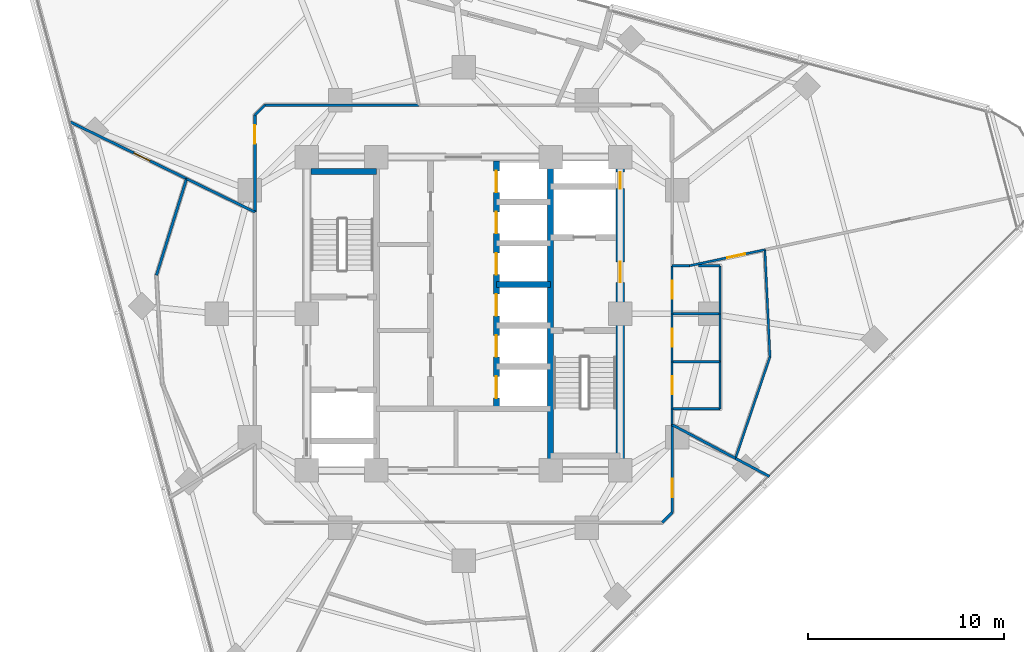
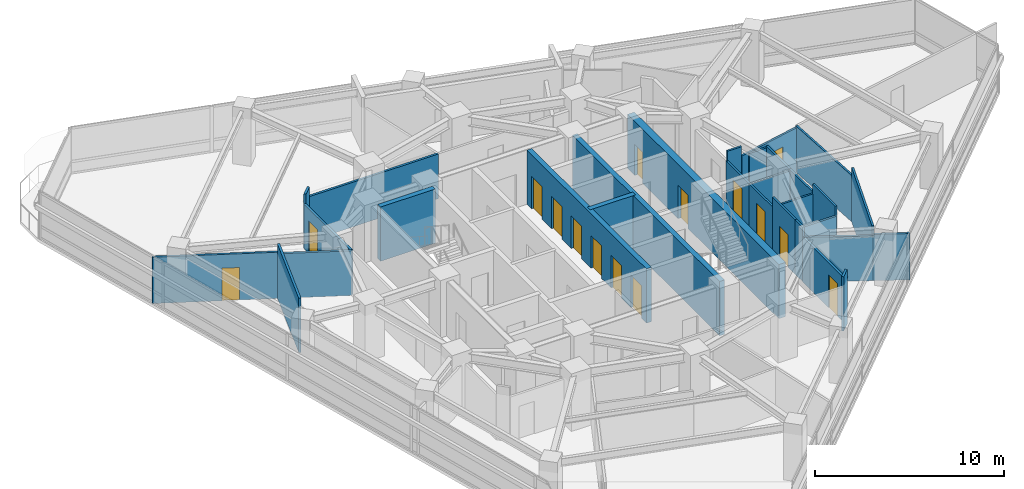
# One storey, part 8 of 14: 30 walls, 15 doors, 15 openings.
"""IFC4 building model written with IfcOpenShell, lengths in metres."""

from ifc_helpers import new_model, si_unit, direction, frame, frame_2d, origin, place, context, subcontext, project, spatial, rectangle, extrude, material, layer, layer_set, type_object, element, fill, save


model = new_model("IFC4")

# Units and contexts
model_context = context("Model", 3, precision=1e-05, world=origin(), true_north=direction((0.0, 1.0)))
body_context = subcontext(model_context, "Body", "Model", "MODEL_VIEW")
ifc_project = project(units=[si_unit("LENGTHUNIT", "METRE"), si_unit("AREAUNIT", "SQUARE_METRE"), si_unit("VOLUMEUNIT", "CUBIC_METRE"), si_unit("PLANEANGLEUNIT", "RADIAN"), si_unit("MASSUNIT", "GRAM", prefix="KILO")], contexts=[model_context])

# Site, building, storey
site_placement = place(None, origin())
site = spatial("IfcSite", under=ifc_project, at=site_placement, CompositionType="ELEMENT")
building_placement = place(site_placement, origin())
building = spatial("IfcBuilding", under=site, at=building_placement, Name="Terralouvre Media Tower", CompositionType="ELEMENT")
storey_placement = place(building_placement, frame((0.0, 0.0, 191.60009765625)))
storey = spatial("IfcBuildingStorey", under=building, at=storey_placement, Name="L49", CompositionType="ELEMENT", Elevation=191.60009765625)

# Walls
ifc_material_1 = material(Name="Concrete C50/60", Category="concrete")
ifc_layer_1 = layer(ifc_material_1, 0.300048828125, Name="Core Internal Shaft Wall CW-300")
ifc_layer_set_1 = layer_set([ifc_layer_1], Name="Concrete C50/60")
wall_type_1 = type_object("IfcWallType", Name="Core Internal Shaft Wall CW-300", PredefinedType="SHEAR", material=ifc_layer_set_1)
wall_1_placement = place(storey_placement, frame((4.449951171875, -7.7900390625, 0.0), z_axis=(0.0, 0.0, 1.0), x_axis=(0.0, 1.0, 0.0)))
element("IfcWall", 1, at=wall_1_placement, inside=storey, type_object=wall_type_1, Name="L49 Core Shaft Wall SPE", PredefinedType="SHEAR", context=body_context, shape_type="SweptSolid", body=[
    extrude(rectangle(XDim=15.580078125, YDim=0.300048828125, at=frame_2d((7.7900390625, 0.0))), origin(), (0.0, 0.0, 1.0), 3.5),
])
wall_2_placement = place(storey_placement, frame((-7.7900390625, 7.260009765625, 0.0), z_axis=(0.0, 0.0, 1.0), x_axis=(1.0, 0.0, 0.0)))
element("IfcWall", 2, at=wall_2_placement, inside=storey, type_object=wall_type_1, Name="L49 Core Shaft Wall ST1F", PredefinedType="SHEAR", context=body_context, shape_type="SweptSolid", body=[
    extrude(rectangle(XDim=3.340087890625, YDim=0.300048828125, at=frame_2d((1.669921875, 0.0))), origin(), (0.0, 0.0, 1.0), 3.5),
])

# Wall, openings, doors
wall_3_placement = place(storey_placement, frame((1.679931640625, -4.85009765625, 0.0), z_axis=(0.0, 0.0, 1.0), x_axis=(0.0, 1.0, 0.0)))
wall_3 = element("IfcWall", 3, at=wall_3_placement, inside=storey, type_object=wall_type_1, Name="L49 Core Shaft Wall LBE", PredefinedType="SHEAR", context=body_context, shape_type="SweptSolid", body=[
    extrude(rectangle(XDim=12.64013671875, YDim=0.300048828125, at=frame_2d((6.320068359375, 0.0))), origin(), (0.0, 0.0, 1.0), 3.5),
])
opening_1_placement = place(wall_3_placement, frame((0.550048828125, 0.0, 0.0)))
opening_1 = element("IfcOpeningElement", 4, at=opening_1_placement, cuts=wall_3, Name="Opening LD-PL", PredefinedType="OPENING", context=body_context, shape_type="SweptSolid", body=[
    extrude(rectangle(XDim=1.10009765625, YDim=2.10009765625, at=frame_2d((0.550048828125, 1.050048828125))), frame((0.0, 0.159912109375, 0.0), z_axis=(0.0, -1.0, 0.0), x_axis=(1.0, 0.0, 0.0)), (0.0, 0.0, 1.0), 0.320068359375),
])
opening_2_placement = place(wall_3_placement, frame((2.64990234375, 0.0, 0.0)))
opening_2 = element("IfcOpeningElement", 5, at=opening_2_placement, cuts=wall_3, Name="Opening LD-PL", PredefinedType="OPENING", context=body_context, shape_type="SweptSolid", body=[
    extrude(rectangle(XDim=1.10009765625, YDim=2.10009765625, at=frame_2d((0.550048828125, 1.050048828125))), frame((0.0, 0.159912109375, 0.0), z_axis=(0.0, -1.0, 0.0), x_axis=(1.0, 0.0, 0.0)), (0.0, 0.0, 1.0), 0.320068359375),
])
opening_3_placement = place(wall_3_placement, frame((4.75, 0.0, 0.0)))
opening_3 = element("IfcOpeningElement", 6, at=opening_3_placement, cuts=wall_3, Name="Opening LD-PL", PredefinedType="OPENING", context=body_context, shape_type="SweptSolid", body=[
    extrude(rectangle(XDim=1.10009765625, YDim=2.10009765625, at=frame_2d((0.550048828125, 1.050048828125))), frame((0.0, 0.159912109375, 0.0), z_axis=(0.0, -1.0, 0.0), x_axis=(1.0, 0.0, 0.0)), (0.0, 0.0, 1.0), 0.320068359375),
])
opening_4_placement = place(wall_3_placement, frame((6.85009765625, 0.0, 0.0)))
opening_4 = element("IfcOpeningElement", 7, at=opening_4_placement, cuts=wall_3, Name="Opening LD-PL", PredefinedType="OPENING", context=body_context, shape_type="SweptSolid", body=[
    extrude(rectangle(XDim=1.10009765625, YDim=2.10009765625, at=frame_2d((0.550048828125, 1.050048828125))), frame((0.0, 0.159912109375, 0.0), z_axis=(0.0, -1.0, 0.0), x_axis=(1.0, 0.0, 0.0)), (0.0, 0.0, 1.0), 0.320068359375),
])
opening_5_placement = place(wall_3_placement, frame((8.949951171875, 0.0, 0.0)))
opening_5 = element("IfcOpeningElement", 8, at=opening_5_placement, cuts=wall_3, Name="Opening LD-PL", PredefinedType="OPENING", context=body_context, shape_type="SweptSolid", body=[
    extrude(rectangle(XDim=1.10009765625, YDim=2.10009765625, at=frame_2d((0.550048828125, 1.050048828125))), frame((0.0, 0.159912109375, 0.0), z_axis=(0.0, -1.0, 0.0), x_axis=(1.0, 0.0, 0.0)), (0.0, 0.0, 1.0), 0.320068359375),
])
opening_6_placement = place(wall_3_placement, frame((11.050048828125, 0.0, 0.0)))
opening_6 = element("IfcOpeningElement", 9, at=opening_6_placement, cuts=wall_3, Name="Opening LD-PL", PredefinedType="OPENING", context=body_context, shape_type="SweptSolid", body=[
    extrude(rectangle(XDim=1.10009765625, YDim=2.10009765625, at=frame_2d((0.550048828125, 1.050048828125))), frame((0.0, 0.159912109375, 0.0), z_axis=(0.0, -1.0, 0.0), x_axis=(1.0, 0.0, 0.0)), (0.0, 0.0, 1.0), 0.320068359375),
])
ifc_material_2 = material(Name="Stainless steel 316 handrail and balustrade", Category="steel")
door_type_1 = type_object("IfcDoorType", Name="Passenger Lift Sliding Landing Door LD-PL", OperationType="SLIDING_TO_LEFT", PredefinedType="DOOR", material=ifc_material_2)
door_1_placement = place(opening_1_placement, origin())
door_1 = element("IfcDoor", 10, at=door_1_placement, inside=storey, type_object=door_type_1, Name="L49 High-Rise Lift PL-H1 Landing Door", OperationType="SLIDING_TO_LEFT", OverallHeight=2.10009765625, OverallWidth=1.10009765625, PredefinedType="DOOR", context=body_context, shape_type="SweptSolid", body=[
    extrude(rectangle(XDim=1.10009765625, YDim=2.10009765625, at=frame_2d((0.550048828125, 1.050048828125))), frame((0.0, 0.02490234375, 0.0), z_axis=(0.0, -1.0, 0.0), x_axis=(1.0, 0.0, 0.0)), (0.0, 0.0, 1.0), 0.050048828125),
])
fill(opening_1, door_1)
door_2_placement = place(opening_2_placement, origin())
door_2 = element("IfcDoor", 11, at=door_2_placement, inside=storey, type_object=door_type_1, Name="L49 High-Rise Lift PL-H2 Landing Door", OperationType="SLIDING_TO_LEFT", OverallHeight=2.10009765625, OverallWidth=1.10009765625, PredefinedType="DOOR", context=body_context, shape_type="SweptSolid", body=[
    extrude(rectangle(XDim=1.10009765625, YDim=2.10009765625, at=frame_2d((0.550048828125, 1.050048828125))), frame((0.0, 0.02490234375, 0.0), z_axis=(0.0, -1.0, 0.0), x_axis=(1.0, 0.0, 0.0)), (0.0, 0.0, 1.0), 0.050048828125),
])
fill(opening_2, door_2)
door_3_placement = place(opening_3_placement, origin())
door_3 = element("IfcDoor", 12, at=door_3_placement, inside=storey, type_object=door_type_1, Name="L49 High-Rise Lift PL-H3 Landing Door", OperationType="SLIDING_TO_LEFT", OverallHeight=2.10009765625, OverallWidth=1.10009765625, PredefinedType="DOOR", context=body_context, shape_type="SweptSolid", body=[
    extrude(rectangle(XDim=1.10009765625, YDim=2.10009765625, at=frame_2d((0.550048828125, 1.050048828125))), frame((0.0, 0.02490234375, 0.0), z_axis=(0.0, -1.0, 0.0), x_axis=(1.0, 0.0, 0.0)), (0.0, 0.0, 1.0), 0.050048828125),
])
fill(opening_3, door_3)
door_4_placement = place(opening_4_placement, origin())
door_4 = element("IfcDoor", 13, at=door_4_placement, inside=storey, type_object=door_type_1, Name="L49 Mid-Rise Lift PL-M1 Landing Door", OperationType="SLIDING_TO_LEFT", OverallHeight=2.10009765625, OverallWidth=1.10009765625, PredefinedType="DOOR", context=body_context, shape_type="SweptSolid", body=[
    extrude(rectangle(XDim=1.10009765625, YDim=2.10009765625, at=frame_2d((0.550048828125, 1.050048828125))), frame((0.0, 0.02490234375, 0.0), z_axis=(0.0, -1.0, 0.0), x_axis=(1.0, 0.0, 0.0)), (0.0, 0.0, 1.0), 0.050048828125),
])
fill(opening_4, door_4)
door_5_placement = place(opening_5_placement, origin())
door_5 = element("IfcDoor", 14, at=door_5_placement, inside=storey, type_object=door_type_1, Name="L49 Mid-Rise Lift PL-M2 Landing Door", OperationType="SLIDING_TO_LEFT", OverallHeight=2.10009765625, OverallWidth=1.10009765625, PredefinedType="DOOR", context=body_context, shape_type="SweptSolid", body=[
    extrude(rectangle(XDim=1.10009765625, YDim=2.10009765625, at=frame_2d((0.550048828125, 1.050048828125))), frame((0.0, 0.02490234375, 0.0), z_axis=(0.0, -1.0, 0.0), x_axis=(1.0, 0.0, 0.0)), (0.0, 0.0, 1.0), 0.050048828125),
])
fill(opening_5, door_5)
door_6_placement = place(opening_6_placement, origin())
door_6 = element("IfcDoor", 15, at=door_6_placement, inside=storey, type_object=door_type_1, Name="L49 Mid-Rise Lift PL-M3 Landing Door", OperationType="SLIDING_TO_LEFT", OverallHeight=2.10009765625, OverallWidth=1.10009765625, PredefinedType="DOOR", context=body_context, shape_type="SweptSolid", body=[
    extrude(rectangle(XDim=1.10009765625, YDim=2.10009765625, at=frame_2d((0.550048828125, 1.050048828125))), frame((0.0, 0.02490234375, 0.0), z_axis=(0.0, -1.0, 0.0), x_axis=(1.0, 0.0, 0.0)), (0.0, 0.0, 1.0), 0.050048828125),
])
fill(opening_6, door_6)

# Wall
wall_4_placement = place(storey_placement, frame((1.679931640625, 1.5, 0.0), z_axis=(0.0, 0.0, 1.0), x_axis=(1.0, 0.0, 0.0)))
element("IfcWall", 16, at=wall_4_placement, inside=storey, type_object=wall_type_1, Name="L49 Core Shaft Wall PLMD0", PredefinedType="SHEAR", context=body_context, shape_type="SweptSolid", body=[
    extrude(rectangle(XDim=2.77001953125, YDim=0.300048828125, at=frame_2d((1.385009765625, 0.0))), origin(), (0.0, 0.0, 1.0), 3.5),
])

# Wall, openings, doors
ifc_material_3 = material(Name="Concrete C60/75", Category="concrete")
ifc_layer_2 = layer(ifc_material_3, 0.419921875, Name="Core Reinforced Concrete Shear Wall CW-420")
ifc_layer_set_2 = layer_set([ifc_layer_2], Name="Concrete C60/75")
wall_type_2 = type_object("IfcWallType", Name="Core Reinforced Concrete Shear Wall CW-420", PredefinedType="SHEAR", material=ifc_layer_set_2)
wall_5_placement = place(storey_placement, frame((8.0, -8.0, 0.0), z_axis=(0.0, 0.0, 1.0), x_axis=(0.0, 1.0, 0.0)))
wall_5 = element("IfcWall", 17, at=wall_5_placement, inside=storey, type_object=wall_type_2, Name="L49 E Core Shear Wall", PredefinedType="SHEAR", context=body_context, shape_type="SweptSolid", body=[
    extrude(rectangle(XDim=16.0, YDim=0.419921875, at=frame_2d((8.0, 0.0))), origin(), (0.0, 0.0, 1.0), 3.5),
])
opening_7_placement = place(wall_5_placement, frame((9.60009765625, 0.0, 0.0)))
opening_7 = element("IfcOpeningElement", 18, at=opening_7_placement, cuts=wall_5, Name="Opening FD-01-105X215", PredefinedType="OPENING", context=body_context, shape_type="SweptSolid", body=[
    extrude(rectangle(XDim=1.050048828125, YDim=2.14990234375, at=frame_2d((0.52490234375, 1.074951171875))), frame((0.0, 0.219970703125, 0.0), z_axis=(0.0, -1.0, 0.0), x_axis=(1.0, 0.0, 0.0)), (0.0, 0.0, 1.0), 0.43994140625),
])
opening_8_placement = place(wall_5_placement, frame((14.388671875, 0.0, 0.0)))
opening_8 = element("IfcOpeningElement", 19, at=opening_8_placement, cuts=wall_5, Name="Opening TD-R1", PredefinedType="OPENING", context=body_context, shape_type="SweptSolid", body=[
    extrude(rectangle(XDim=0.85009765625, YDim=2.02001953125, at=frame_2d((0.425048828125, 1.010009765625))), frame((0.0, 0.219970703125, 0.0), z_axis=(0.0, -1.0, 0.0), x_axis=(1.0, 0.0, 0.0)), (0.0, 0.0, 1.0), 0.43994140625),
])
ifc_material_4 = material(Name="Galvanised steel fire-resisting leaf", Category="steel")
door_type_2 = type_object("IfcDoorType", Name="Riser Inspection Access Trapdoor TD-R1", OperationType="NOTDEFINED", PredefinedType="TRAPDOOR", material=ifc_material_4)
door_7_placement = place(opening_8_placement, origin())
door_7 = element("IfcDoor", 20, at=door_7_placement, inside=storey, type_object=door_type_2, Name="L49 East Comms Riser Access Trapdoor", OperationType="SINGLE_SWING_RIGHT", OverallHeight=2.02001953125, OverallWidth=0.85009765625, PredefinedType="TRAPDOOR", context=body_context, shape_type="SweptSolid", body=[
    extrude(rectangle(XDim=0.85009765625, YDim=2.02001953125, at=frame_2d((0.425048828125, 1.010009765625))), frame((0.0, 0.02490234375, 0.0), z_axis=(0.0, -1.0, 0.0), x_axis=(1.0, 0.0, 0.0)), (0.0, 0.0, 1.0), 0.050048828125),
])
fill(opening_8, door_7)
ifc_material_5 = material(Name="Galvanised steel fire-resisting leaf", Category="steel")
door_type_3 = type_object("IfcDoorType", Name="Stair and Firefighting Lobby Fire Door FD-01 (1050x2150)", OperationType="NOTDEFINED", PredefinedType="DOOR", material=ifc_material_5)
door_8_placement = place(opening_7_placement, origin())
door_8 = element("IfcDoor", 21, at=door_8_placement, inside=storey, type_object=door_type_3, Name="L49 East Firefighting Lobby Entry Door", OperationType="SINGLE_SWING_LEFT", OverallHeight=2.14990234375, OverallWidth=1.050048828125, PredefinedType="DOOR", context=body_context, shape_type="SweptSolid", body=[
    extrude(rectangle(XDim=1.050048828125, YDim=2.14990234375, at=frame_2d((0.52490234375, 1.074951171875))), frame((0.0, 0.02490234375, 0.0), z_axis=(0.0, -1.0, 0.0), x_axis=(1.0, 0.0, 0.0)), (0.0, 0.0, 1.0), 0.050048828125),
])
fill(opening_7, door_8)

# Wall
ifc_material_6 = material(Name="Fire-rated gypsum board drywall partition")
ifc_layer_3 = layer(ifc_material_6, 0.135009765625, Name="Newsroom Acoustic Partition PT-135")
ifc_layer_set_3 = layer_set([ifc_layer_3], Name="Fire-rated gypsum board drywall partition")
wall_type_3 = type_object("IfcWallType", Name="Newsroom Acoustic Partition PT-135", PredefinedType="PARTITIONING", material=ifc_layer_set_3)
wall_6_placement = place(storey_placement, frame((10.14990234375, -10.64990234375, 0.0), z_axis=(0.0, 0.0, 1.0), x_axis=(0.707106781187, 0.707106781187, 0.0)))
element("IfcWall", 22, at=wall_6_placement, inside=storey, type_object=wall_type_3, Name="L49 Interior Partition 007", PredefinedType="PARTITIONING", context=body_context, shape_type="SweptSolid", body=[
    extrude(rectangle(XDim=0.70703125, YDim=0.135009765625, at=frame_2d((0.353515625, 0.0))), origin(), (0.0, 0.0, 1.0), 3.5),
])

# Wall, opening, door
wall_7_placement = place(storey_placement, frame((10.64990234375, -10.14990234375, 0.0), z_axis=(0.0, 0.0, 1.0), x_axis=(0.0, 1.0, 0.0)))
wall_7 = element("IfcWall", 23, at=wall_7_placement, inside=storey, type_object=wall_type_3, Name="L49 Interior Partition 008", PredefinedType="PARTITIONING", context=body_context, shape_type="SweptSolid", body=[
    extrude(rectangle(XDim=4.48681640625, YDim=0.135009765625, at=frame_2d((2.243408203125, 0.0))), origin(), (0.0, 0.0, 1.0), 2.885009765625),
])
opening_9_placement = place(wall_7_placement, frame((0.781494140625, 0.0, 0.0)))
opening_9 = element("IfcOpeningElement", 24, at=opening_9_placement, cuts=wall_7, Name="Opening ID-02-95X210", PredefinedType="OPENING", context=body_context, shape_type="SweptSolid", body=[
    extrude(rectangle(XDim=0.949951171875, YDim=2.10009765625, at=frame_2d((0.47509765625, 1.050048828125))), frame((0.0, 0.077392578125, 0.0), z_axis=(0.0, -1.0, 0.0), x_axis=(1.0, 0.0, 0.0)), (0.0, 0.0, 1.0), 0.155029296875),
])
ifc_material_7 = material(Name="Engineered hardwood acoustic timber leaf", Category="wood")
door_type_4 = type_object("IfcDoorType", Name="Office and Meeting Room Door ID-02 (950x2100)", OperationType="NOTDEFINED", PredefinedType="DOOR", material=ifc_material_7)
door_9_placement = place(opening_9_placement, origin())
door_9 = element("IfcDoor", 25, at=door_9_placement, inside=storey, type_object=door_type_4, Name="L49 Sound Engineers Crew Room 5 Door", OperationType="SINGLE_SWING_LEFT", OverallHeight=2.10009765625, OverallWidth=0.949951171875, PredefinedType="DOOR", context=body_context, shape_type="SweptSolid", body=[
    extrude(rectangle(XDim=0.949951171875, YDim=2.10009765625, at=frame_2d((0.47509765625, 1.050048828125))), frame((0.0, 0.02490234375, 0.0), z_axis=(0.0, -1.0, 0.0), x_axis=(1.0, 0.0, 0.0)), (0.0, 0.0, 1.0), 0.050048828125),
])
fill(opening_9, door_9)

# Walls
wall_8_placement = place(storey_placement, frame((-2.263916015625, 10.64990234375, 0.0), z_axis=(0.0, 0.0, 1.0), x_axis=(-1.0, 0.0, 0.0)))
element("IfcWall", 26, at=wall_8_placement, inside=storey, type_object=wall_type_3, Name="L49 Interior Partition 018", PredefinedType="PARTITIONING", context=body_context, shape_type="SweptSolid", body=[
    extrude(rectangle(XDim=7.885986328125, YDim=0.135009765625, at=frame_2d((3.94287109375, 0.0))), origin(), (0.0, 0.0, 1.0), 2.885009765625),
])
wall_9_placement = place(storey_placement, frame((-10.14990234375, 10.64990234375, 0.0), z_axis=(0.0, 0.0, 1.0), x_axis=(-0.707106781187, -0.707106781187, 0.0)))
element("IfcWall", 27, at=wall_9_placement, inside=storey, type_object=wall_type_3, Name="L49 Interior Partition 019", PredefinedType="PARTITIONING", context=body_context, shape_type="SweptSolid", body=[
    extrude(rectangle(XDim=0.70703125, YDim=0.135009765625, at=frame_2d((0.353515625, 0.0))), origin(), (0.0, 0.0, 1.0), 3.5),
])

# Wall, opening, door
wall_10_placement = place(storey_placement, frame((-10.64990234375, 10.14990234375, 0.0), z_axis=(0.0, 0.0, 1.0), x_axis=(0.0, -1.0, 0.0)))
wall_10 = element("IfcWall", 28, at=wall_10_placement, inside=storey, type_object=wall_type_3, Name="L49 Interior Partition 020", PredefinedType="PARTITIONING", context=body_context, shape_type="SweptSolid", body=[
    extrude(rectangle(XDim=4.955810546875, YDim=0.135009765625, at=frame_2d((2.47802734375, 0.0))), origin(), (0.0, 0.0, 1.0), 2.885009765625),
])
opening_10_placement = place(wall_10_placement, frame((0.51611328125, 0.0, 0.0)))
opening_10 = element("IfcOpeningElement", 29, at=opening_10_placement, cuts=wall_10, Name="Opening ID-02-95X210", PredefinedType="OPENING", context=body_context, shape_type="SweptSolid", body=[
    extrude(rectangle(XDim=0.949951171875, YDim=2.10009765625, at=frame_2d((0.47509765625, 1.050048828125))), frame((0.0, 0.077392578125, 0.0), z_axis=(0.0, -1.0, 0.0), x_axis=(1.0, 0.0, 0.0)), (0.0, 0.0, 1.0), 0.155029296875),
])
door_10_placement = place(opening_10_placement, origin())
door_10 = element("IfcDoor", 30, at=door_10_placement, inside=storey, type_object=door_type_4, Name="L49 Guest Arrival Reception 12 Door", OperationType="SINGLE_SWING_RIGHT", OverallHeight=2.10009765625, OverallWidth=0.949951171875, PredefinedType="DOOR", context=body_context, shape_type="SweptSolid", body=[
    extrude(rectangle(XDim=0.949951171875, YDim=2.10009765625, at=frame_2d((0.47509765625, 1.050048828125))), frame((0.0, 0.02490234375, 0.0), z_axis=(0.0, -1.0, 0.0), x_axis=(1.0, 0.0, 0.0)), (0.0, 0.0, 1.0), 0.050048828125),
])
fill(opening_10, door_10)

# Walls
wall_11_placement = place(storey_placement, frame((-10.64990234375, 5.194091796875, 0.0), z_axis=(0.0, 0.0, 1.0), x_axis=(-0.898773885441, 0.438412480261, 0.0)))
element("IfcWall", 31, at=wall_11_placement, inside=storey, type_object=wall_type_3, Name="L49 Interior Partition 022", PredefinedType="PARTITIONING", context=body_context, shape_type="SweptSolid", body=[
    extrude(rectangle(XDim=3.882080078125, YDim=0.135009765625, at=frame_2d((1.94091796875, 0.0))), origin(), (0.0, 0.0, 1.0), 2.885009765625),
])
wall_12_placement = place(storey_placement, frame((-14.138916015625, 6.89599609375, 0.0), z_axis=(0.0, 0.0, 1.0), x_axis=(-0.298099863076, -0.954534688544, 0.0)))
element("IfcWall", 32, at=wall_12_placement, inside=storey, type_object=wall_type_3, Name="L49 Interior Partition 023", PredefinedType="PARTITIONING", context=body_context, shape_type="SweptSolid", body=[
    extrude(rectangle(XDim=5.15966796875, YDim=0.135009765625, at=frame_2d((2.579833984375, 0.0))), origin(), (0.0, 0.0, 1.0), 3.5),
])
wall_13_placement = place(storey_placement, frame((13.885986328125, -7.383056640625, 0.0), z_axis=(0.0, 0.0, 1.0), x_axis=(-0.88302513666, 0.469325695041, 0.0)))
element("IfcWall", 33, at=wall_13_placement, inside=storey, type_object=wall_type_3, Name="L49 Interior Partition 033", PredefinedType="PARTITIONING", context=body_context, shape_type="SweptSolid", body=[
    extrude(rectangle(XDim=3.664794921875, YDim=0.135009765625, at=frame_2d((1.83251953125, 0.0))), origin(), (0.0, 0.0, 1.0), 2.885009765625),
])
wall_14_placement = place(storey_placement, frame((15.625, -8.3076171875, 0.0), z_axis=(0.0, 0.0, 1.0), x_axis=(-0.882966413063, 0.469436165418, 0.0)))
element("IfcWall", 34, at=wall_14_placement, inside=storey, type_object=wall_type_3, Name="L49 Interior Partition 034", PredefinedType="PARTITIONING", context=body_context, shape_type="SweptSolid", body=[
    extrude(rectangle(XDim=1.969482421875, YDim=0.135009765625, at=frame_2d((0.98486328125, 0.0))), origin(), (0.0, 0.0, 1.0), 2.98486328125),
])

# Wall, opening, door
wall_15_placement = place(storey_placement, frame((-20.15380859375, 9.829345703125, 0.0), z_axis=(0.0, 0.0, 1.0), x_axis=(0.898812268895, -0.43833378296, 0.0)))
wall_15 = element("IfcWall", 35, at=wall_15_placement, inside=storey, type_object=wall_type_3, Name="L49 Interior Partition 053", PredefinedType="PARTITIONING", context=body_context, shape_type="SweptSolid", body=[
    extrude(rectangle(XDim=6.692138671875, YDim=0.135009765625, at=frame_2d((3.34619140625, 0.0))), origin(), (0.0, 0.0, 1.0), 2.98486328125),
])
opening_11_placement = place(wall_15_placement, frame((3.68896484375, 0.0, 0.0)))
opening_11 = element("IfcOpeningElement", 36, at=opening_11_placement, cuts=wall_15, Name="Opening ID-03-92X210", PredefinedType="OPENING", context=body_context, shape_type="SweptSolid", body=[
    extrude(rectangle(XDim=0.919921875, YDim=2.10009765625, at=frame_2d((0.4599609375, 1.050048828125))), frame((0.0, 0.077392578125, 0.0), z_axis=(0.0, -1.0, 0.0), x_axis=(1.0, 0.0, 0.0)), (0.0, 0.0, 1.0), 0.155029296875),
])
ifc_material_8 = material(Name="Engineered hardwood acoustic timber leaf", Category="wood")
door_type_5 = type_object("IfcDoorType", Name="Accessible Restroom and Suite Door ID-03 (920x2100)", OperationType="NOTDEFINED", PredefinedType="DOOR", material=ifc_material_8)
door_11_placement = place(opening_11_placement, origin())
door_11 = element("IfcDoor", 37, at=door_11_placement, inside=storey, type_object=door_type_5, Name="L49 Audio Mastering Control Room 13 Door", OperationType="SINGLE_SWING_LEFT", OverallHeight=2.10009765625, OverallWidth=0.919921875, PredefinedType="DOOR", context=body_context, shape_type="SweptSolid", body=[
    extrude(rectangle(XDim=0.919921875, YDim=2.10009765625, at=frame_2d((0.4599609375, 1.050048828125))), frame((0.0, 0.02490234375, 0.0), z_axis=(0.0, -1.0, 0.0), x_axis=(1.0, 0.0, 0.0)), (0.0, 0.0, 1.0), 0.050048828125),
])
fill(opening_11, door_11)

ifc_material_9 = material(Name="Fire-rated gypsum board drywall partition")
ifc_layer_4 = layer(ifc_material_9, 0.114990234375, Name="Restroom and Pantry Partition PT-115")
ifc_layer_set_4 = layer_set([ifc_layer_4], Name="Fire-rated gypsum board drywall partition")
wall_type_4 = type_object("IfcWallType", Name="Restroom and Pantry Partition PT-115", PredefinedType="PARTITIONING", material=ifc_layer_set_4)
wall_16_placement = place(storey_placement, frame((10.64990234375, -4.85009765625, 0.0), z_axis=(0.0, 0.0, 1.0), x_axis=(0.0, 1.0, 0.0)))
wall_16 = element("IfcWall", 38, at=wall_16_placement, inside=storey, type_object=wall_type_4, Name="L49 Interior Partition 009", PredefinedType="PARTITIONING", context=body_context, shape_type="SweptSolid", body=[
    extrude(rectangle(XDim=2.400146484375, YDim=0.114990234375, at=frame_2d((1.2001953125, 0.0))), origin(), (0.0, 0.0, 1.0), 3.5),
])
opening_12_placement = place(wall_16_placement, frame((0.739990234375, 0.0, 0.0)))
opening_12 = element("IfcOpeningElement", 39, at=opening_12_placement, cuts=wall_16, Name="Opening ID-03-92X210", PredefinedType="OPENING", context=body_context, shape_type="SweptSolid", body=[
    extrude(rectangle(XDim=0.919921875, YDim=2.10009765625, at=frame_2d((0.4599609375, 1.050048828125))), frame((0.0, 0.0673828125, 0.0), z_axis=(0.0, -1.0, 0.0), x_axis=(1.0, 0.0, 0.0)), (0.0, 0.0, 1.0), 0.135009765625),
])
door_12_placement = place(opening_12_placement, origin())
door_12 = element("IfcDoor", 40, at=door_12_placement, inside=storey, type_object=door_type_5, Name="L49 Male Restroom WC Door", OperationType="SINGLE_SWING_RIGHT", OverallHeight=2.10009765625, OverallWidth=0.919921875, PredefinedType="DOOR", context=body_context, shape_type="SweptSolid", body=[
    extrude(rectangle(XDim=0.919921875, YDim=2.10009765625, at=frame_2d((0.4599609375, 1.050048828125))), frame((0.0, 0.02490234375, 0.0), z_axis=(0.0, -1.0, 0.0), x_axis=(1.0, 0.0, 0.0)), (0.0, 0.0, 1.0), 0.050048828125),
])
fill(opening_12, door_12)

# Wall
wall_17_placement = place(storey_placement, frame((10.64990234375, -5.6630859375, 0.0), z_axis=(0.0, 0.0, 1.0), x_axis=(0.0, 1.0, 0.0)))
element("IfcWall", 41, at=wall_17_placement, inside=storey, type_object=wall_type_4, Name="L49 Interior Partition 010", PredefinedType="PARTITIONING", context=body_context, shape_type="SweptSolid", body=[
    extrude(rectangle(XDim=0.81298828125, YDim=0.114990234375, at=frame_2d((0.406494140625, 0.0))), origin(), (0.0, 0.0, 1.0), 3.5),
])

# Wall, opening, door
wall_18_placement = place(storey_placement, frame((10.64990234375, -2.449951171875, 0.0), z_axis=(0.0, 0.0, 1.0), x_axis=(0.0, 1.0, 0.0)))
wall_18 = element("IfcWall", 42, at=wall_18_placement, inside=storey, type_object=wall_type_4, Name="L49 Interior Partition 011", PredefinedType="PARTITIONING", context=body_context, shape_type="SweptSolid", body=[
    extrude(rectangle(XDim=2.449951171875, YDim=0.114990234375, at=frame_2d((1.22509765625, 0.0))), origin(), (0.0, 0.0, 1.0), 2.885009765625),
])
opening_13_placement = place(wall_18_placement, frame((0.764892578125, 0.0, 0.0)))
opening_13 = element("IfcOpeningElement", 43, at=opening_13_placement, cuts=wall_18, Name="Opening ID-03-92X210", PredefinedType="OPENING", context=body_context, shape_type="SweptSolid", body=[
    extrude(rectangle(XDim=0.919921875, YDim=2.10009765625, at=frame_2d((0.4599609375, 1.050048828125))), frame((0.0, 0.0673828125, 0.0), z_axis=(0.0, -1.0, 0.0), x_axis=(1.0, 0.0, 0.0)), (0.0, 0.0, 1.0), 0.135009765625),
])
door_13_placement = place(opening_13_placement, origin())
door_13 = element("IfcDoor", 44, at=door_13_placement, inside=storey, type_object=door_type_5, Name="L49 Female Restroom WC Door", OperationType="SINGLE_SWING_LEFT", OverallHeight=2.10009765625, OverallWidth=0.919921875, PredefinedType="DOOR", context=body_context, shape_type="SweptSolid", body=[
    extrude(rectangle(XDim=0.919921875, YDim=2.10009765625, at=frame_2d((0.4599609375, 1.050048828125))), frame((0.0, 0.02490234375, 0.0), z_axis=(0.0, -1.0, 0.0), x_axis=(1.0, 0.0, 0.0)), (0.0, 0.0, 1.0), 0.050048828125),
])
fill(opening_13, door_13)

wall_19_placement = place(storey_placement, frame((10.64990234375, 0.0, 0.0), z_axis=(0.0, 0.0, 1.0), x_axis=(0.0, 1.0, 0.0)))
wall_19 = element("IfcWall", 45, at=wall_19_placement, inside=storey, type_object=wall_type_4, Name="L49 Interior Partition 012", PredefinedType="PARTITIONING", context=body_context, shape_type="SweptSolid", body=[
    extrude(rectangle(XDim=2.449951171875, YDim=0.114990234375, at=frame_2d((1.22509765625, 0.0))), origin(), (0.0, 0.0, 1.0), 2.885009765625),
])
opening_14_placement = place(wall_19_placement, frame((0.764892578125, 0.0, 0.0)))
opening_14 = element("IfcOpeningElement", 46, at=opening_14_placement, cuts=wall_19, Name="Opening ID-03-92X210", PredefinedType="OPENING", context=body_context, shape_type="SweptSolid", body=[
    extrude(rectangle(XDim=0.919921875, YDim=2.10009765625, at=frame_2d((0.4599609375, 1.050048828125))), frame((0.0, 0.0673828125, 0.0), z_axis=(0.0, -1.0, 0.0), x_axis=(1.0, 0.0, 0.0)), (0.0, 0.0, 1.0), 0.135009765625),
])
door_14_placement = place(opening_14_placement, origin())
door_14 = element("IfcDoor", 47, at=door_14_placement, inside=storey, type_object=door_type_5, Name="L49 Accessible Unisex WC Door", OperationType="SINGLE_SWING_RIGHT", OverallHeight=2.10009765625, OverallWidth=0.919921875, PredefinedType="DOOR", context=body_context, shape_type="SweptSolid", body=[
    extrude(rectangle(XDim=0.919921875, YDim=2.10009765625, at=frame_2d((0.4599609375, 1.050048828125))), frame((0.0, 0.02490234375, 0.0), z_axis=(0.0, -1.0, 0.0), x_axis=(1.0, 0.0, 0.0)), (0.0, 0.0, 1.0), 0.050048828125),
])
fill(opening_14, door_14)

# Walls
wall_20_placement = place(storey_placement, frame((10.64990234375, -4.85009765625, 0.0), z_axis=(0.0, 0.0, 1.0), x_axis=(1.0, 0.0, 0.0)))
element("IfcWall", 48, at=wall_20_placement, inside=storey, type_object=wall_type_4, Name="L49 Interior Partition 035", PredefinedType="PARTITIONING", context=body_context, shape_type="SweptSolid", body=[
    extrude(rectangle(XDim=2.4501953125, YDim=0.114990234375, at=frame_2d((1.22509765625, 0.0))), origin(), (0.0, 0.0, 1.0), 2.885009765625),
])
wall_21_placement = place(storey_placement, frame((13.10009765625, -4.85009765625, 0.0), z_axis=(0.0, 0.0, 1.0), x_axis=(0.0, 1.0, 0.0)))
element("IfcWall", 49, at=wall_21_placement, inside=storey, type_object=wall_type_4, Name="L49 Interior Partition 036", PredefinedType="PARTITIONING", context=body_context, shape_type="SweptSolid", body=[
    extrude(rectangle(XDim=2.400146484375, YDim=0.114990234375, at=frame_2d((1.2001953125, 0.0))), origin(), (0.0, 0.0, 1.0), 3.5),
])
wall_22_placement = place(storey_placement, frame((13.10009765625, -2.449951171875, 0.0), z_axis=(0.0, 0.0, 1.0), x_axis=(-1.0, 0.0, 0.0)))
element("IfcWall", 50, at=wall_22_placement, inside=storey, type_object=wall_type_4, Name="L49 Interior Partition 037", PredefinedType="PARTITIONING", context=body_context, shape_type="SweptSolid", body=[
    extrude(rectangle(XDim=2.4501953125, YDim=0.114990234375, at=frame_2d((1.22509765625, 0.0))), origin(), (0.0, 0.0, 1.0), 2.885009765625),
])
wall_23_placement = place(storey_placement, frame((13.10009765625, 0.0, 0.0), z_axis=(0.0, 0.0, 1.0), x_axis=(0.0, -1.0, 0.0)))
element("IfcWall", 51, at=wall_23_placement, inside=storey, type_object=wall_type_4, Name="L49 Interior Partition 038", PredefinedType="PARTITIONING", context=body_context, shape_type="SweptSolid", body=[
    extrude(rectangle(XDim=2.449951171875, YDim=0.114990234375, at=frame_2d((1.22509765625, 0.0))), origin(), (0.0, 0.0, 1.0), 2.98486328125),
])
wall_24_placement = place(storey_placement, frame((13.885986328125, -7.383056640625, 0.0), z_axis=(0.0, 0.0, 1.0), x_axis=(0.321480582018, 0.946916171255, 0.0)))
element("IfcWall", 52, at=wall_24_placement, inside=storey, type_object=wall_type_4, Name="L49 Interior Partition 039", PredefinedType="PARTITIONING", context=body_context, shape_type="SweptSolid", body=[
    extrude(rectangle(XDim=5.474609375, YDim=0.114990234375, at=frame_2d((2.7373046875, 0.0))), origin(), (0.0, 0.0, 1.0), 3.5),
])
wall_25_placement = place(storey_placement, frame((15.64599609375, -2.198974609375, 0.0), z_axis=(0.0, 0.0, 1.0), x_axis=(-0.047844791808, 0.998854782187, 0.0)))
element("IfcWall", 53, at=wall_25_placement, inside=storey, type_object=wall_type_4, Name="L49 Interior Partition 040", PredefinedType="PARTITIONING", context=body_context, shape_type="SweptSolid", body=[
    extrude(rectangle(XDim=5.475341796875, YDim=0.114990234375, at=frame_2d((2.73779296875, 0.0))), origin(), (0.0, 0.0, 1.0), 2.98486328125),
])
wall_26_placement = place(storey_placement, frame((12.007080078125, 2.449951171875, 0.0), z_axis=(0.0, 0.0, 1.0), x_axis=(1.0, 0.0, 0.0)))
element("IfcWall", 54, at=wall_26_placement, inside=storey, type_object=wall_type_4, Name="L49 Interior Partition 041", PredefinedType="PARTITIONING", context=body_context, shape_type="SweptSolid", body=[
    extrude(rectangle(XDim=1.093017578125, YDim=0.114990234375, at=frame_2d((0.54638671875, 0.0))), origin(), (0.0, 0.0, 1.0), 2.885009765625),
])
wall_27_placement = place(storey_placement, frame((13.10009765625, 2.449951171875, 0.0), z_axis=(0.0, 0.0, 1.0), x_axis=(0.0, -1.0, 0.0)))
element("IfcWall", 55, at=wall_27_placement, inside=storey, type_object=wall_type_4, Name="L49 Interior Partition 042", PredefinedType="PARTITIONING", context=body_context, shape_type="SweptSolid", body=[
    extrude(rectangle(XDim=2.449951171875, YDim=0.114990234375, at=frame_2d((1.22509765625, 0.0))), origin(), (0.0, 0.0, 1.0), 2.98486328125),
])

# Wall, opening, door
wall_28_placement = place(storey_placement, frame((15.384033203125, 3.27001953125, 0.0), z_axis=(0.0, 0.0, 1.0), x_axis=(-0.978147995284, -0.207909834598, 0.0)))
wall_28 = element("IfcWall", 56, at=wall_28_placement, inside=storey, type_object=wall_type_4, Name="L49 Interior Partition 043", PredefinedType="PARTITIONING", context=body_context, shape_type="SweptSolid", body=[
    extrude(rectangle(XDim=3.9443359375, YDim=0.114990234375, at=frame_2d((1.97216796875, 0.0))), origin(), (0.0, 0.0, 1.0), 2.885009765625),
])
opening_15_placement = place(wall_28_placement, frame((1.038818359375, 0.0, 0.0)))
opening_15 = element("IfcOpeningElement", 57, at=opening_15_placement, cuts=wall_28, Name="Opening ID-03-92X210", PredefinedType="OPENING", context=body_context, shape_type="SweptSolid", body=[
    extrude(rectangle(XDim=0.919921875, YDim=2.10009765625, at=frame_2d((0.4599609375, 1.050048828125))), frame((0.0, 0.0673828125, 0.0), z_axis=(0.0, -1.0, 0.0), x_axis=(1.0, 0.0, 0.0)), (0.0, 0.0, 1.0), 0.135009765625),
])
door_15_placement = place(opening_15_placement, origin())
door_15 = element("IfcDoor", 58, at=door_15_placement, inside=storey, type_object=door_type_5, Name="L49 Artist Hospitality Kitchen 6 Door", OperationType="SINGLE_SWING_RIGHT", OverallHeight=2.10009765625, OverallWidth=0.919921875, PredefinedType="DOOR", context=body_context, shape_type="SweptSolid", body=[
    extrude(rectangle(XDim=0.919921875, YDim=2.10009765625, at=frame_2d((0.4599609375, 1.050048828125))), frame((0.0, 0.02490234375, 0.0), z_axis=(0.0, -1.0, 0.0), x_axis=(1.0, 0.0, 0.0)), (0.0, 0.0, 1.0), 0.050048828125),
])
fill(opening_15, door_15)

# Walls
wall_29_placement = place(storey_placement, frame((13.10009765625, 0.0, 0.0), z_axis=(0.0, 0.0, 1.0), x_axis=(-1.0, 0.0, 0.0)))
element("IfcWall", 59, at=wall_29_placement, inside=storey, type_object=wall_type_4, Name="L49 Interior Partition 044", PredefinedType="PARTITIONING", context=body_context, shape_type="SweptSolid", body=[
    extrude(rectangle(XDim=2.4501953125, YDim=0.114990234375, at=frame_2d((1.22509765625, 0.0))), origin(), (0.0, 0.0, 1.0), 2.885009765625),
])
wall_30_placement = place(storey_placement, frame((11.52587890625, 2.449951171875, 0.0), z_axis=(0.0, 0.0, 1.0), x_axis=(-1.0, 0.0, 0.0)))
element("IfcWall", 60, at=wall_30_placement, inside=storey, type_object=wall_type_4, Name="L49 Interior Partition 046", PredefinedType="PARTITIONING", context=body_context, shape_type="SweptSolid", body=[
    extrude(rectangle(XDim=0.8759765625, YDim=0.114990234375, at=frame_2d((0.43798828125, 0.0))), origin(), (0.0, 0.0, 1.0), 3.5),
])

save(model, "model.ifc")
